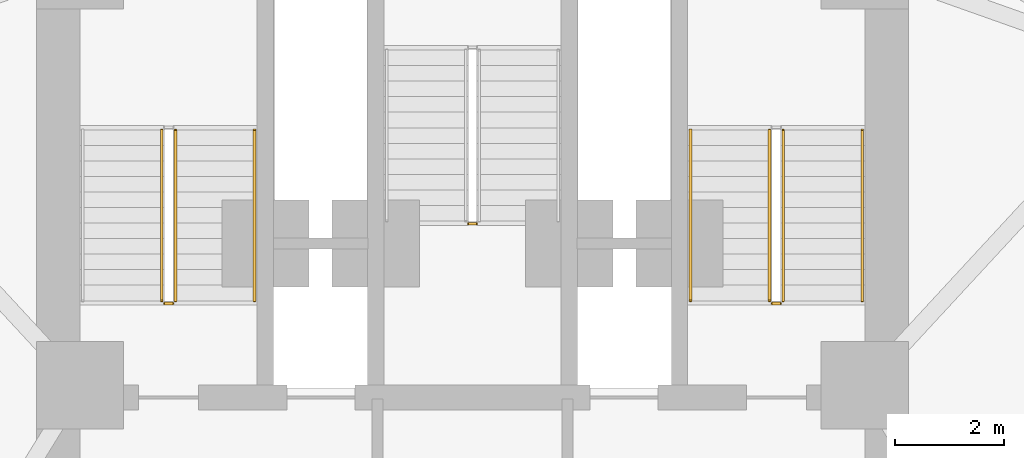
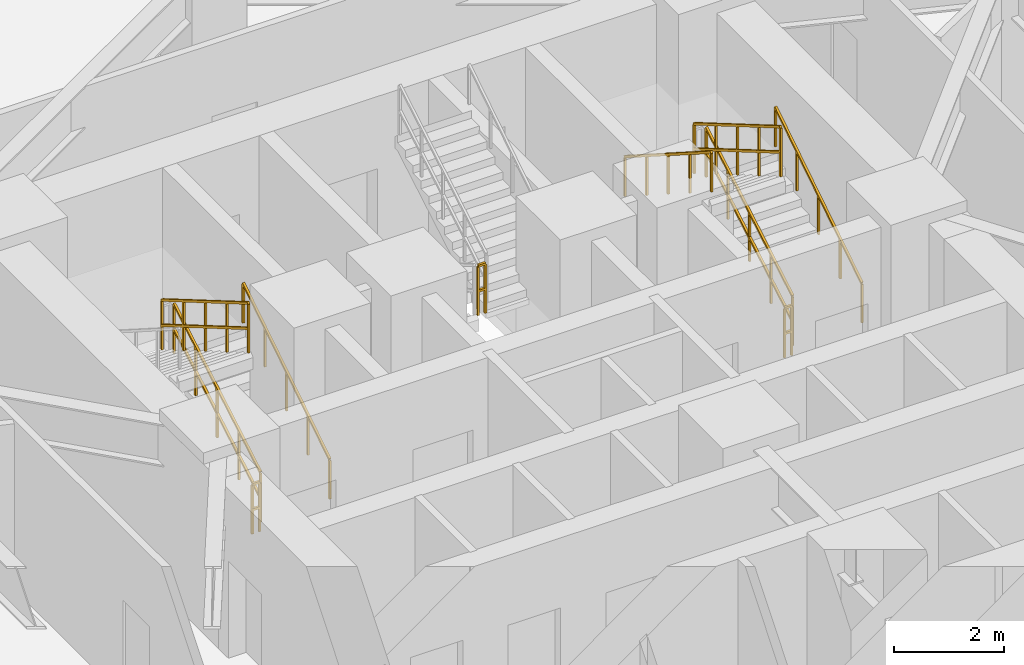
# One storey, part 9 of 12: 10 railings.
"""IFC4 building model written with IfcOpenShell, lengths in metres."""

from ifc_helpers import new_model, si_unit, direction, frame, origin, origin_2d, place, context, subcontext, project, spatial, rectangle, extrude, material, type_object, element, save


model = new_model("IFC4")

# Units and contexts
model_context = context("Model", 3, precision=1e-05, world=origin(), true_north=direction((0.0, 1.0)))
body_context = subcontext(model_context, "Body", "Model", "MODEL_VIEW")
ifc_project = project(units=[si_unit("LENGTHUNIT", "METRE"), si_unit("AREAUNIT", "SQUARE_METRE"), si_unit("VOLUMEUNIT", "CUBIC_METRE"), si_unit("PLANEANGLEUNIT", "RADIAN"), si_unit("MASSUNIT", "GRAM", prefix="KILO")], contexts=[model_context])

# Site, building, storey
site_placement = place(None, origin())
site = spatial("IfcSite", under=ifc_project, at=site_placement, CompositionType="ELEMENT")
building_placement = place(site_placement, origin())
building = spatial("IfcBuilding", under=site, at=building_placement, Name="Apsidion Concourse Tower", CompositionType="ELEMENT")
storey_placement = place(building_placement, frame((0.0, 0.0, 42.39990234375)))
storey = spatial("IfcBuildingStorey", under=building, at=storey_placement, Name="L08", CompositionType="ELEMENT", Elevation=42.39990234375)

# Railings
ifc_material = material(Name="Brushed stainless steel 316", Category="steel")
railing_type_1 = type_object("IfcRailingType", Name="RL-GUARD-1100", PredefinedType="GUARDRAIL", material=ifc_material)
railing_1_placement = place(storey_placement, frame((-5.449951171875, 3.0, 0.166748046875)))
element("IfcRailing", 1, at=railing_1_placement, inside=storey, type_object=railing_type_1, Name="L08 ST1 stair guard 1", PredefinedType="GUARDRAIL", context=body_context, shape_type="SweptSolid", body=[
    extrude(rectangle(XDim=0.048095703125, YDim=0.048095703125, at=origin_2d()), frame((0.0, 0.0, 1.09619140625), z_axis=(0.0, 0.863239559939, 0.504794475164), x_axis=(-1.0, 0.0, 0.0)), (0.0, 0.0, 1.0), 3.631591796875),
    extrude(rectangle(XDim=0.048095703125, YDim=0.048095703125, at=origin_2d()), frame((0.0, 0.0, 0.5361328125), z_axis=(0.0, 0.863239559939, 0.504794475164), x_axis=(-1.0, 0.0, 0.0)), (0.0, 0.0, 1.0), 3.631591796875),
    extrude(rectangle(XDim=0.0419921875, YDim=0.0419921875, at=origin_2d()), origin(), (0.0, 0.0, 1.0), 1.072021484375),
    extrude(rectangle(XDim=0.0419921875, YDim=0.0419921875, at=origin_2d()), frame((0.0, 0.78369140625, 0.458251953125)), (0.0, 0.0, 1.0), 1.072021484375),
    extrude(rectangle(XDim=0.0419921875, YDim=0.0419921875, at=origin_2d()), frame((0.0, 1.5673828125, 0.91650390625)), (0.0, 0.0, 1.0), 1.072021484375),
    extrude(rectangle(XDim=0.0419921875, YDim=0.0419921875, at=origin_2d()), frame((0.0, 2.351318359375, 1.375)), (0.0, 0.0, 1.0), 1.072021484375),
    extrude(rectangle(XDim=0.0419921875, YDim=0.0419921875, at=origin_2d()), frame((0.0, 3.135009765625, 1.833251953125)), (0.0, 0.0, 1.0), 1.072021484375),
])
railing_2_placement = place(storey_placement, frame((-5.699951171875, 6.135009765625, 2.166748046875)))
element("IfcRailing", 2, at=railing_2_placement, inside=storey, type_object=railing_type_1, Name="L08 ST1 stair guard 3", PredefinedType="GUARDRAIL", context=body_context, shape_type="SweptSolid", body=[
    extrude(rectangle(XDim=0.048095703125, YDim=0.048095703125, at=origin_2d()), frame((0.0, 0.0, 1.09619140625), z_axis=(0.0, -0.863239559939, 0.504794475164), x_axis=(1.0, 0.0, 0.0)), (0.0, 0.0, 1.0), 3.631591796875),
    extrude(rectangle(XDim=0.048095703125, YDim=0.048095703125, at=origin_2d()), frame((0.0, 0.0, 0.5361328125), z_axis=(0.0, -0.863239559939, 0.504794475164), x_axis=(1.0, 0.0, 0.0)), (0.0, 0.0, 1.0), 3.631591796875),
    extrude(rectangle(XDim=0.0419921875, YDim=0.0419921875, at=origin_2d()), origin(), (0.0, 0.0, 1.0), 1.072021484375),
    extrude(rectangle(XDim=0.0419921875, YDim=0.0419921875, at=origin_2d()), frame((0.0, -0.78369140625, 0.458251953125)), (0.0, 0.0, 1.0), 1.072021484375),
    extrude(rectangle(XDim=0.0419921875, YDim=0.0419921875, at=origin_2d()), frame((0.0, -1.5673828125, 0.91650390625)), (0.0, 0.0, 1.0), 1.072021484375),
    extrude(rectangle(XDim=0.0419921875, YDim=0.0419921875, at=origin_2d()), frame((0.0, -2.351318359375, 1.375)), (0.0, 0.0, 1.0), 1.072021484375),
    extrude(rectangle(XDim=0.0419921875, YDim=0.0419921875, at=origin_2d()), frame((0.0, -3.135009765625, 1.833251953125)), (0.0, 0.0, 1.0), 1.072021484375),
])
railing_3_placement = place(storey_placement, frame((-5.5, 2.949951171875, 0.0)))
element("IfcRailing", 3, at=railing_3_placement, inside=storey, type_object=railing_type_1, Name="L08 ST1 stair guard 4", PredefinedType="GUARDRAIL", context=body_context, shape_type="SweptSolid", body=[
    extrude(rectangle(XDim=0.048095703125, YDim=0.048095703125, at=origin_2d()), frame((0.0, 0.0, 1.09619140625), z_axis=(-1.0, 0.0, 0.0), x_axis=(0.0, -1.0, 0.0)), (0.0, 0.0, 1.0), 0.14990234375),
    extrude(rectangle(XDim=0.048095703125, YDim=0.048095703125, at=origin_2d()), frame((0.0, 0.0, 0.5361328125), z_axis=(-1.0, 0.0, 0.0), x_axis=(0.0, -1.0, 0.0)), (0.0, 0.0, 1.0), 0.14990234375),
    extrude(rectangle(XDim=0.0419921875, YDim=0.0419921875, at=origin_2d()), origin(), (0.0, 0.0, 1.0), 1.072021484375),
    extrude(rectangle(XDim=0.0419921875, YDim=0.0419921875, at=origin_2d()), frame((-0.14990234375, 0.0, 0.0)), (0.0, 0.0, 1.0), 1.072021484375),
])
railing_4_placement = place(storey_placement, frame((5.699951171875, 3.0, 0.166748046875)))
element("IfcRailing", 4, at=railing_4_placement, inside=storey, type_object=railing_type_1, Name="L08 ST2 stair guard 1", PredefinedType="GUARDRAIL", context=body_context, shape_type="SweptSolid", body=[
    extrude(rectangle(XDim=0.048095703125, YDim=0.048095703125, at=origin_2d()), frame((0.0, 0.0, 1.09619140625), z_axis=(0.0, 0.863239559939, 0.504794475164), x_axis=(-1.0, 0.0, 0.0)), (0.0, 0.0, 1.0), 3.631591796875),
    extrude(rectangle(XDim=0.048095703125, YDim=0.048095703125, at=origin_2d()), frame((0.0, 0.0, 0.5361328125), z_axis=(0.0, 0.863239559939, 0.504794475164), x_axis=(-1.0, 0.0, 0.0)), (0.0, 0.0, 1.0), 3.631591796875),
    extrude(rectangle(XDim=0.0419921875, YDim=0.0419921875, at=origin_2d()), origin(), (0.0, 0.0, 1.0), 1.072021484375),
    extrude(rectangle(XDim=0.0419921875, YDim=0.0419921875, at=origin_2d()), frame((0.0, 0.78369140625, 0.458251953125)), (0.0, 0.0, 1.0), 1.072021484375),
    extrude(rectangle(XDim=0.0419921875, YDim=0.0419921875, at=origin_2d()), frame((0.0, 1.5673828125, 0.91650390625)), (0.0, 0.0, 1.0), 1.072021484375),
    extrude(rectangle(XDim=0.0419921875, YDim=0.0419921875, at=origin_2d()), frame((0.0, 2.351318359375, 1.375)), (0.0, 0.0, 1.0), 1.072021484375),
    extrude(rectangle(XDim=0.0419921875, YDim=0.0419921875, at=origin_2d()), frame((0.0, 3.135009765625, 1.833251953125)), (0.0, 0.0, 1.0), 1.072021484375),
])
railing_5_placement = place(storey_placement, frame((5.449951171875, 6.135009765625, 2.166748046875)))
element("IfcRailing", 5, at=railing_5_placement, inside=storey, type_object=railing_type_1, Name="L08 ST2 stair guard 3", PredefinedType="GUARDRAIL", context=body_context, shape_type="SweptSolid", body=[
    extrude(rectangle(XDim=0.048095703125, YDim=0.048095703125, at=origin_2d()), frame((0.0, 0.0, 1.09619140625), z_axis=(0.0, -0.863239559939, 0.504794475164), x_axis=(1.0, 0.0, 0.0)), (0.0, 0.0, 1.0), 3.631591796875),
    extrude(rectangle(XDim=0.048095703125, YDim=0.048095703125, at=origin_2d()), frame((0.0, 0.0, 0.5361328125), z_axis=(0.0, -0.863239559939, 0.504794475164), x_axis=(1.0, 0.0, 0.0)), (0.0, 0.0, 1.0), 3.631591796875),
    extrude(rectangle(XDim=0.0419921875, YDim=0.0419921875, at=origin_2d()), origin(), (0.0, 0.0, 1.0), 1.072021484375),
    extrude(rectangle(XDim=0.0419921875, YDim=0.0419921875, at=origin_2d()), frame((0.0, -0.78369140625, 0.458251953125)), (0.0, 0.0, 1.0), 1.072021484375),
    extrude(rectangle(XDim=0.0419921875, YDim=0.0419921875, at=origin_2d()), frame((0.0, -1.5673828125, 0.91650390625)), (0.0, 0.0, 1.0), 1.072021484375),
    extrude(rectangle(XDim=0.0419921875, YDim=0.0419921875, at=origin_2d()), frame((0.0, -2.351318359375, 1.375)), (0.0, 0.0, 1.0), 1.072021484375),
    extrude(rectangle(XDim=0.0419921875, YDim=0.0419921875, at=origin_2d()), frame((0.0, -3.135009765625, 1.833251953125)), (0.0, 0.0, 1.0), 1.072021484375),
])
railing_6_placement = place(storey_placement, frame((5.64990234375, 2.949951171875, 0.0)))
element("IfcRailing", 6, at=railing_6_placement, inside=storey, type_object=railing_type_1, Name="L08 ST2 stair guard 4", PredefinedType="GUARDRAIL", context=body_context, shape_type="SweptSolid", body=[
    extrude(rectangle(XDim=0.048095703125, YDim=0.048095703125, at=origin_2d()), frame((0.0, 0.0, 1.09619140625), z_axis=(-1.0, 0.0, 0.0), x_axis=(0.0, -1.0, 0.0)), (0.0, 0.0, 1.0), 0.14990234375),
    extrude(rectangle(XDim=0.048095703125, YDim=0.048095703125, at=origin_2d()), frame((0.0, 0.0, 0.5361328125), z_axis=(-1.0, 0.0, 0.0), x_axis=(0.0, -1.0, 0.0)), (0.0, 0.0, 1.0), 0.14990234375),
    extrude(rectangle(XDim=0.0419921875, YDim=0.0419921875, at=origin_2d()), origin(), (0.0, 0.0, 1.0), 1.072021484375),
    extrude(rectangle(XDim=0.0419921875, YDim=0.0419921875, at=origin_2d()), frame((-0.14990234375, 0.0, 0.0)), (0.0, 0.0, 1.0), 1.072021484375),
])
railing_7_placement = place(storey_placement, frame((-0.074951171875, 4.4150390625, 2.0)))
element("IfcRailing", 7, at=railing_7_placement, inside=storey, type_object=railing_type_1, Name="L08 ST3 stair guard 2", PredefinedType="GUARDRAIL", context=body_context, shape_type="SweptSolid", body=[
    extrude(rectangle(XDim=0.048095703125, YDim=0.048095703125, at=origin_2d()), frame((0.0, 0.0, 1.09619140625), z_axis=(1.0, 0.0, 0.0), x_axis=(0.0, 1.0, 0.0)), (0.0, 0.0, 1.0), 0.14990234375),
    extrude(rectangle(XDim=0.048095703125, YDim=0.048095703125, at=origin_2d()), frame((0.0, 0.0, 0.5361328125), z_axis=(1.0, 0.0, 0.0), x_axis=(0.0, 1.0, 0.0)), (0.0, 0.0, 1.0), 0.14990234375),
    extrude(rectangle(XDim=0.0419921875, YDim=0.0419921875, at=origin_2d()), origin(), (0.0, 0.0, 1.0), 1.072021484375),
    extrude(rectangle(XDim=0.0419921875, YDim=0.0419921875, at=origin_2d()), frame((0.14990234375, 0.0, 0.0)), (0.0, 0.0, 1.0), 1.072021484375),
])
railing_type_2 = type_object("IfcRailingType", Name="RL-HAND-900", PredefinedType="HANDRAIL", material=ifc_material)
for number, where, name in (
    (8, (-4.0, 3.0, 0.166748046875), "L08 ST1 stair handrail 1"),
    (9, (7.14990234375, 3.0, 0.166748046875), "L08 ST2 stair handrail 1"),
):
    element("IfcRailing", number, at=place(storey_placement, frame(where)), inside=storey, type_object=railing_type_2, Name=name, PredefinedType="HANDRAIL", context=body_context, shape_type="SweptSolid", body=[
        extrude(rectangle(XDim=0.048095703125, YDim=0.048095703125, at=origin_2d()), frame((0.0, 0.0, 0.8759765625), z_axis=(0.0, 0.843052688722, 0.537830980921), x_axis=(-1.0, 0.0, 0.0)), (0.0, 0.0, 1.0), 3.71875),
        extrude(rectangle(XDim=0.0419921875, YDim=0.0419921875, at=origin_2d()), origin(), (0.0, 0.0, 1.0), 0.851806640625),
        extrude(rectangle(XDim=0.0419921875, YDim=0.0419921875, at=origin_2d()), frame((0.0, 0.78369140625, 0.5)), (0.0, 0.0, 1.0), 0.851806640625),
        extrude(rectangle(XDim=0.0419921875, YDim=0.0419921875, at=origin_2d()), frame((0.0, 1.5673828125, 1.0)), (0.0, 0.0, 1.0), 0.851806640625),
        extrude(rectangle(XDim=0.0419921875, YDim=0.0419921875, at=origin_2d()), frame((0.0, 2.351318359375, 1.5)), (0.0, 0.0, 1.0), 0.851806640625),
        extrude(rectangle(XDim=0.0419921875, YDim=0.0419921875, at=origin_2d()), frame((0.0, 3.135009765625, 2.0)), (0.0, 0.0, 1.0), 0.851806640625),
    ])
railing_8_placement = place(storey_placement, frame((4.0, 6.135009765625, 2.166748046875)))
element("IfcRailing", 10, at=railing_8_placement, inside=storey, type_object=railing_type_2, Name="L08 ST2 stair handrail 2", PredefinedType="HANDRAIL", context=body_context, shape_type="SweptSolid", body=[
    extrude(rectangle(XDim=0.048095703125, YDim=0.048095703125, at=origin_2d()), frame((0.0, 0.0, 0.8759765625), z_axis=(0.0, -0.843052688722, 0.537830980921), x_axis=(1.0, 0.0, 0.0)), (0.0, 0.0, 1.0), 3.71875),
    extrude(rectangle(XDim=0.0419921875, YDim=0.0419921875, at=origin_2d()), origin(), (0.0, 0.0, 1.0), 0.851806640625),
    extrude(rectangle(XDim=0.0419921875, YDim=0.0419921875, at=origin_2d()), frame((0.0, -0.78369140625, 0.5)), (0.0, 0.0, 1.0), 0.851806640625),
    extrude(rectangle(XDim=0.0419921875, YDim=0.0419921875, at=origin_2d()), frame((0.0, -1.5673828125, 1.0)), (0.0, 0.0, 1.0), 0.851806640625),
    extrude(rectangle(XDim=0.0419921875, YDim=0.0419921875, at=origin_2d()), frame((0.0, -2.351318359375, 1.5)), (0.0, 0.0, 1.0), 0.851806640625),
    extrude(rectangle(XDim=0.0419921875, YDim=0.0419921875, at=origin_2d()), frame((0.0, -3.135009765625, 2.0)), (0.0, 0.0, 1.0), 0.851806640625),
])

save(model, "model.ifc")
